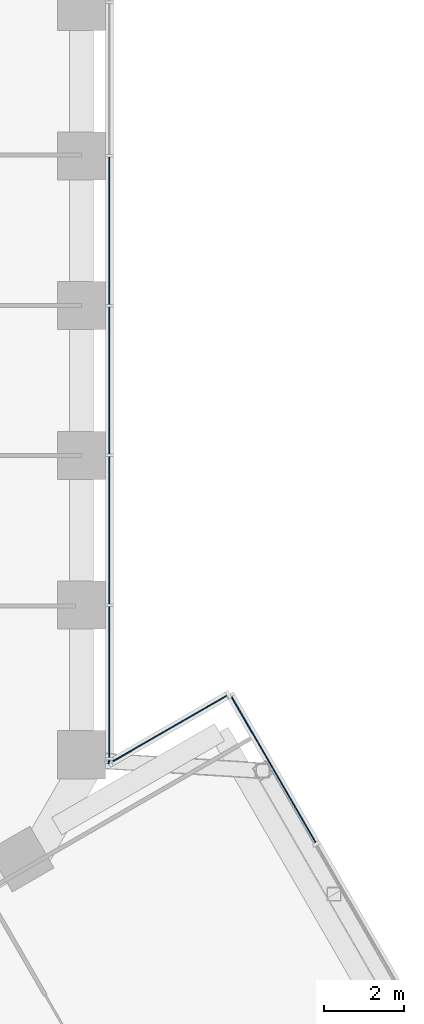
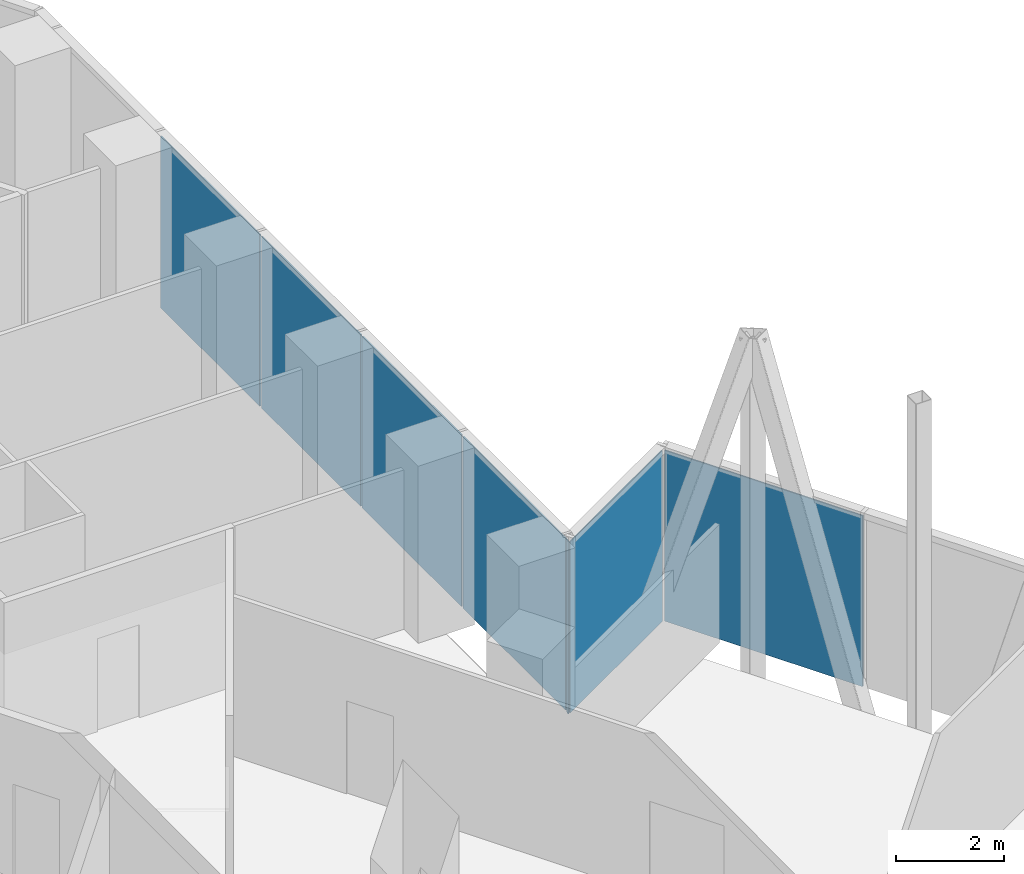
# One storey, part 16 of 27: 7 plates, 4 elements without a shape of their own.
"""IFC4 building model written with IfcOpenShell, lengths in metres."""

from ifc_helpers import new_model, si_unit, direction, frame, origin, origin_2d, place, context, subcontext, project, spatial, rectangle, extrude, material, layer, layer_set, type_object, element, aggregate, save


model = new_model("IFC4")

# Units and contexts
model_context = context("Model", 3, precision=1e-05, world=origin(), true_north=direction((0.0, 1.0)))
body_context = subcontext(model_context, "Body", "Model", "MODEL_VIEW")
ifc_project = project(units=[si_unit("LENGTHUNIT", "METRE"), si_unit("AREAUNIT", "SQUARE_METRE"), si_unit("VOLUMEUNIT", "CUBIC_METRE"), si_unit("PLANEANGLEUNIT", "RADIAN"), si_unit("MASSUNIT", "GRAM", prefix="KILO")], contexts=[model_context])

# Site, building, storey
site_placement = place(None, origin())
site = spatial("IfcSite", under=ifc_project, at=site_placement, CompositionType="ELEMENT")
building_placement = place(site_placement, origin())
building = spatial("IfcBuilding", under=site, at=building_placement, Name="Ayvan Gate Tower", CompositionType="ELEMENT")
storey_placement = place(building_placement, frame((0.0, 0.0, 70.300048828125)))
storey = spatial("IfcBuildingStorey", under=building, at=storey_placement, Name="L18", CompositionType="ELEMENT", Elevation=70.300048828125)

# Curtain wall, plates
ifc_material_1 = material(Name="Bronze anodised aluminium", Category="aluminium")
ifc_layer_1 = layer(ifc_material_1, 0.199951171875)
ifc_layer_set_1 = layer_set([ifc_layer_1], Name="Bronze anodised aluminium")
curtain_wall_type_1 = type_object("IfcCurtainWallType", Name="Stick curtain wall CW-1", PredefinedType="NOTDEFINED", material=ifc_layer_set_1)
curtain_wall_1_placement = place(storey_placement, origin())
curtain_wall_1 = element("IfcCurtainWall", 1, at=curtain_wall_1_placement, inside=storey, type_object=curtain_wall_type_1, Name="Stick curtain wall CW-1 L18", PredefinedType="NOTDEFINED")
ifc_material_2 = material(Name="Clear low-iron laminated glass", Category="glass")
ifc_layer_2 = layer(ifc_material_2, 0.028076171875)
ifc_layer_set_2 = layer_set([ifc_layer_2], Name="Clear low-iron laminated glass")
plate_type_1 = type_object("IfcPlateType", Name="Stick curtain wall CW-1 glass panel", PredefinedType="CURTAIN_PANEL", material=ifc_layer_set_2)
plate_1_placement = place(storey_placement, frame((21.484619140625, -7.526123046875, 0.0), z_axis=(0.0, 0.0, 1.0), x_axis=(0.0, 1.0, 0.0)))
plate_1 = element("IfcPlate", 2, at=plate_1_placement, type_object=plate_type_1, Name="CW-1 glass panel 1", PredefinedType="CURTAIN_PANEL", context=body_context, shape_type="SweptSolid", body=[
    extrude(rectangle(XDim=3.802001953125, YDim=0.028076171875, at=origin_2d()), origin(), (0.0, 0.0, 1.0), 3.8798828125),
])
plate_2_placement = place(storey_placement, frame((21.484619140625, -3.730224609375, 0.0), z_axis=(0.0, 0.0, 1.0), x_axis=(0.0, 1.0, 0.0)))
plate_2 = element("IfcPlate", 3, at=plate_2_placement, type_object=plate_type_1, Name="CW-1 glass panel 2", PredefinedType="CURTAIN_PANEL", context=body_context, shape_type="SweptSolid", body=[
    extrude(rectangle(XDim=3.669921875, YDim=0.028076171875, at=origin_2d()), origin(), (0.0, 0.0, 1.0), 3.8798828125),
])
plate_3_placement = place(storey_placement, frame((21.484619140625, -0.000244140625, 0.0), z_axis=(0.0, 0.0, 1.0), x_axis=(0.0, 1.0, 0.0)))
plate_3 = element("IfcPlate", 4, at=plate_3_placement, type_object=plate_type_1, Name="CW-1 glass panel 3", PredefinedType="CURTAIN_PANEL", context=body_context, shape_type="SweptSolid", body=[
    extrude(rectangle(XDim=3.669921875, YDim=0.028076171875, at=origin_2d()), origin(), (0.0, 0.0, 1.0), 3.8798828125),
])
plate_4_placement = place(storey_placement, frame((21.484619140625, 3.729736328125, 0.0), z_axis=(0.0, 0.0, 1.0), x_axis=(0.0, 1.0, 0.0)))
plate_4 = element("IfcPlate", 5, at=plate_4_placement, type_object=plate_type_1, Name="CW-1 glass panel 4", PredefinedType="CURTAIN_PANEL", context=body_context, shape_type="SweptSolid", body=[
    extrude(rectangle(XDim=3.669921875, YDim=0.028076171875, at=origin_2d()), origin(), (0.0, 0.0, 1.0), 3.8798828125),
])
aggregate(curtain_wall_1, [plate_1, plate_2, plate_3, plate_4])

# Curtain wall, plate
ifc_layer_3 = layer(ifc_material_1, 0.199951171875)
ifc_layer_set_3 = layer_set([ifc_layer_3], Name="Bronze anodised aluminium")
curtain_wall_type_2 = type_object("IfcCurtainWallType", Name="Stick curtain wall CW-4", PredefinedType="NOTDEFINED", material=ifc_layer_set_3)
curtain_wall_2_placement = place(storey_placement, origin())
curtain_wall_2 = element("IfcCurtainWall", 6, at=curtain_wall_2_placement, inside=storey, type_object=curtain_wall_type_2, Name="Stick curtain wall CW-4 L18", PredefinedType="NOTDEFINED")
ifc_material_3 = material(Name="Pale anodised aluminium composite panel", Category="aluminium")
ifc_layer_4 = layer(ifc_material_3, 0.028076171875)
ifc_layer_set_4 = layer_set([ifc_layer_4], Name="Pale anodised aluminium composite panel")
plate_type_2 = type_object("IfcPlateType", Name="Stick curtain wall CW-4 solid panel", PredefinedType="CURTAIN_PANEL", material=ifc_layer_set_4)
plate_5_placement = place(storey_placement, frame((25.56298828125, -9.67626953125, 0.0), z_axis=(0.0, 0.0, 1.0), x_axis=(-0.5, 0.866025403784, 0.0)))
plate_5 = element("IfcPlate", 7, at=plate_5_placement, type_object=plate_type_2, Name="CW-4 solid panel 4", PredefinedType="CURTAIN_PANEL", context=body_context, shape_type="SweptSolid", body=[
    extrude(rectangle(XDim=4.237548828125, YDim=0.028076171875, at=origin_2d()), origin(), (0.0, 0.0, 1.0), 3.860107421875),
])
aggregate(curtain_wall_2, [plate_5])

curtain_wall_3_placement = place(storey_placement, origin())
curtain_wall_3 = element("IfcCurtainWall", 8, at=curtain_wall_3_placement, inside=storey, type_object=curtain_wall_type_2, Name="Stick curtain wall CW-4 L18", PredefinedType="NOTDEFINED")
plate_6_placement = place(storey_placement, frame((22.97119140625, -8.679931640625, 0.0), z_axis=(0.0, 0.0, 1.0), x_axis=(-0.866025403784, -0.5, 0.0)))
plate_6 = element("IfcPlate", 9, at=plate_6_placement, type_object=plate_type_2, Name="CW-4 solid panel 1", PredefinedType="CURTAIN_PANEL", context=body_context, shape_type="SweptSolid", body=[
    extrude(rectangle(XDim=3.41259765625, YDim=0.028076171875, at=origin_2d()), origin(), (0.0, 0.0, 1.0), 3.860107421875),
])
aggregate(curtain_wall_3, [plate_6])

ifc_layer_5 = layer(ifc_material_1, 0.199951171875)
ifc_layer_set_5 = layer_set([ifc_layer_5], Name="Bronze anodised aluminium")
curtain_wall_type_3 = type_object("IfcCurtainWallType", Name="Stick curtain wall CW-6", PredefinedType="NOTDEFINED", material=ifc_layer_set_5)
curtain_wall_4_placement = place(storey_placement, origin())
curtain_wall_4 = element("IfcCurtainWall", 10, at=curtain_wall_4_placement, inside=storey, type_object=curtain_wall_type_3, Name="Stick curtain wall CW-6 L18", PredefinedType="NOTDEFINED")
ifc_layer_6 = layer(ifc_material_2, 0.028076171875)
ifc_layer_set_6 = layer_set([ifc_layer_6], Name="Clear low-iron laminated glass")
plate_type_3 = type_object("IfcPlateType", Name="Stick curtain wall CW-6 glass panel", PredefinedType="CURTAIN_PANEL", material=ifc_layer_set_6)
plate_7_placement = place(storey_placement, frame((21.4716796875, -9.505126953125, 0.0), z_axis=(0.0, 0.0, 1.0), x_axis=(0.258819045103, 0.965925826289, 0.0)))
plate_7 = element("IfcPlate", 11, at=plate_7_placement, type_object=plate_type_3, Name="CW-6 glass panel 1", PredefinedType="CURTAIN_PANEL", context=body_context, shape_type="SweptSolid", body=[
    extrude(rectangle(XDim=0.099365234375, YDim=0.028076171875, at=origin_2d()), origin(), (0.0, 0.0, 1.0), 3.8798828125),
])
aggregate(curtain_wall_4, [plate_7])

save(model, "model.ifc")
